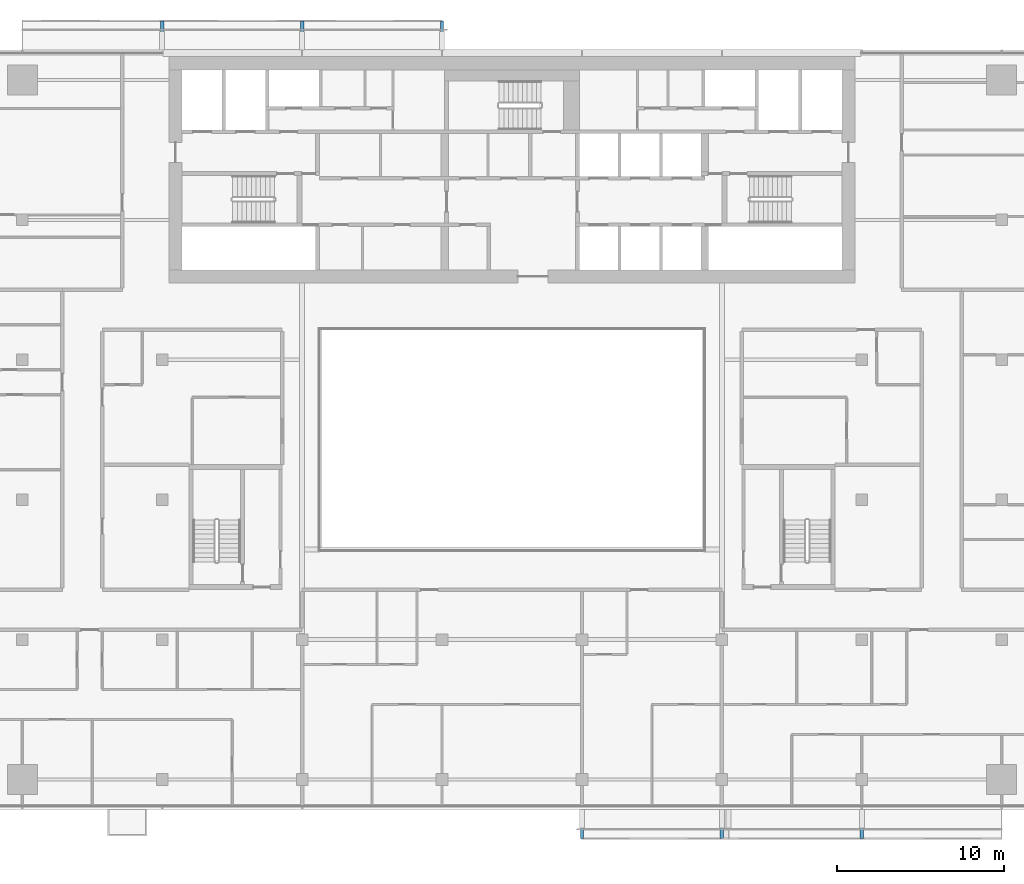
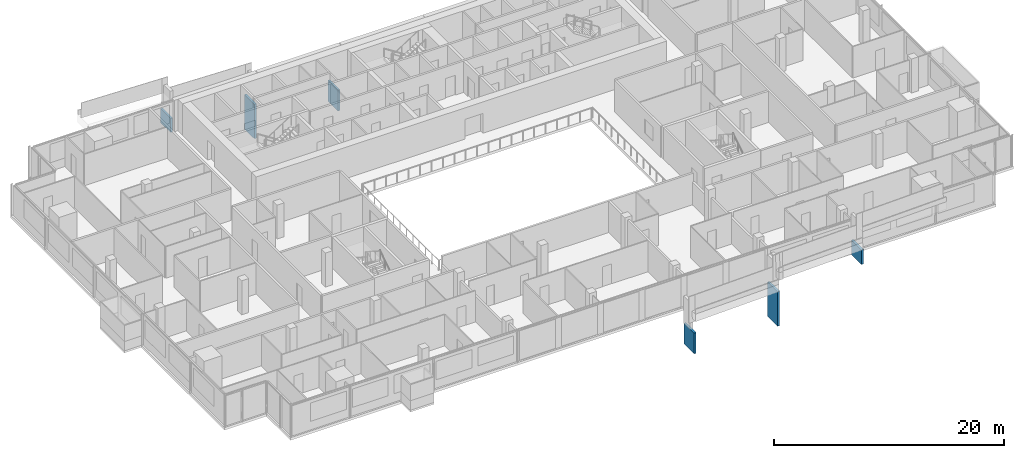
# One storey, part 25 of 28: 6 discrete accessories.
"""IFC4 building model written with IfcOpenShell, lengths in metres."""

from ifc_helpers import new_model, si_unit, direction, frame, origin, origin_2d, place, context, subcontext, project, spatial, rectangle, extrude, element, save


model = new_model("IFC4")

# Units and contexts
model_context = context("Model", 3, precision=1e-05, world=origin(), true_north=direction((0.0, 1.0)))
body_context = subcontext(model_context, "Body", "Model", "MODEL_VIEW")
ifc_project = project(units=[si_unit("LENGTHUNIT", "METRE"), si_unit("AREAUNIT", "SQUARE_METRE"), si_unit("VOLUMEUNIT", "CUBIC_METRE"), si_unit("PLANEANGLEUNIT", "RADIAN"), si_unit("MASSUNIT", "GRAM", prefix="KILO")], contexts=[model_context])

# Site, building, storey
site_placement = place(None, origin())
site = spatial("IfcSite", under=ifc_project, at=site_placement, CompositionType="ELEMENT")
building_placement = place(site_placement, origin())
building = spatial("IfcBuilding", under=site, at=building_placement, Name="Saffron Gate Tower", CompositionType="ELEMENT")
storey_placement = place(building_placement, frame((0.0, 0.0, 176.25)))
storey = spatial("IfcBuildingStorey", under=building, at=storey_placement, Name="L43", CompositionType="ELEMENT", Elevation=176.25)

# Discrete accessories
discrete_accessory_1_placement = place(storey_placement, frame((83.39990234375, 76.47509765625, -3.8798828125), z_axis=(0.0, 0.0, 1.0), x_axis=(-1.0, 0.0, 0.0)))
element("IfcDiscreteAccessory", 1, at=discrete_accessory_1_placement, inside=storey, Name="LEDGE rib", PredefinedType="BRACKET", context=body_context, shape_type="SweptSolid", body=[
    extrude(rectangle(XDim=0.199951171875, YDim=1.75, at=origin_2d()), origin(), (0.0, 0.0, 1.0), 2.208251953125),
])
discrete_accessory_2_placement = place(storey_placement, frame((75.0, 76.47509765625, -3.8798828125), z_axis=(0.0, 0.0, 1.0), x_axis=(-1.0, 0.0, 0.0)))
element("IfcDiscreteAccessory", 2, at=discrete_accessory_2_placement, inside=storey, Name="LEDGE rib", PredefinedType="BRACKET", context=body_context, shape_type="SweptSolid", body=[
    extrude(rectangle(XDim=0.199951171875, YDim=1.75, at=origin_2d()), origin(), (0.0, 0.0, 1.0), 3.650634765625),
])
discrete_accessory_3_placement = place(storey_placement, frame((66.60009765625, 76.47509765625, -0.27978515625), z_axis=(0.0, 0.0, 1.0), x_axis=(-1.0, 0.0, 0.0)))
element("IfcDiscreteAccessory", 3, at=discrete_accessory_3_placement, inside=storey, Name="LEDGE rib", PredefinedType="BRACKET", context=body_context, shape_type="SweptSolid", body=[
    extrude(rectangle(XDim=0.199951171875, YDim=1.75, at=origin_2d()), origin(), (0.0, 0.0, 1.0), 1.492919921875),
])
discrete_accessory_4_placement = place(storey_placement, frame((91.800048828125, 29.125, -3.8798828125), z_axis=(0.0, 0.0, 1.0), x_axis=(1.0, 0.0, 0.0)))
element("IfcDiscreteAccessory", 4, at=discrete_accessory_4_placement, inside=storey, Name="LEDGE rib", PredefinedType="BRACKET", context=body_context, shape_type="SweptSolid", body=[
    extrude(rectangle(XDim=0.199951171875, YDim=1.75, at=origin_2d()), origin(), (0.0, 0.0, 1.0), 2.208251953125),
])
discrete_accessory_5_placement = place(storey_placement, frame((100.199951171875, 29.125, -3.8798828125), z_axis=(0.0, 0.0, 1.0), x_axis=(1.0, 0.0, 0.0)))
element("IfcDiscreteAccessory", 5, at=discrete_accessory_5_placement, inside=storey, Name="LEDGE rib", PredefinedType="BRACKET", context=body_context, shape_type="SweptSolid", body=[
    extrude(rectangle(XDim=0.199951171875, YDim=1.75, at=origin_2d()), origin(), (0.0, 0.0, 1.0), 3.650634765625),
])
discrete_accessory_6_placement = place(storey_placement, frame((108.60009765625, 29.125, -0.27978515625), z_axis=(0.0, 0.0, 1.0), x_axis=(1.0, 0.0, 0.0)))
element("IfcDiscreteAccessory", 6, at=discrete_accessory_6_placement, inside=storey, Name="LEDGE rib", PredefinedType="BRACKET", context=body_context, shape_type="SweptSolid", body=[
    extrude(rectangle(XDim=0.199951171875, YDim=1.75, at=origin_2d()), origin(), (0.0, 0.0, 1.0), 1.550048828125),
])

save(model, "model.ifc")
